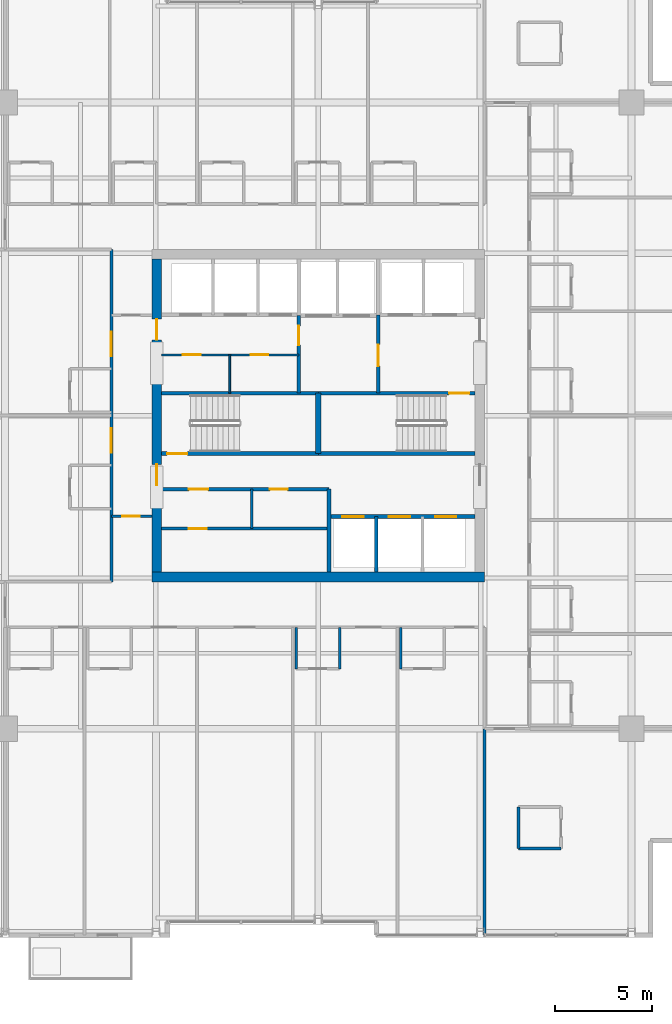
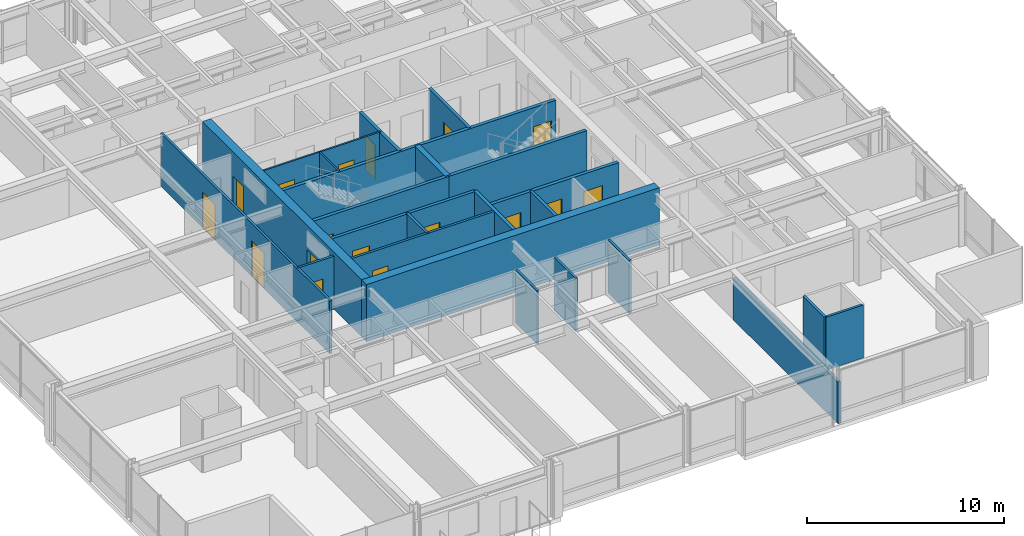
# One storey, part 27 of 32: 25 walls, 17 doors, 17 openings.
"""IFC4 building model written with IfcOpenShell, lengths in metres."""

import ifcopenshell
import ifcopenshell.guid

model = None  # the IFC model being written
_history = None  # IfcOwnerHistory: only IFC2X3 demands one
_inside = {}  # id of a spatial element -> (the spatial element, [elements in it])
_under = {}  # id of a project, library or spatial element -> (it, [spatial elements below it])
_declared = {}  # id of a project -> (the project, [libraries it declares])
_typed = {}  # id of a type object -> (the type object, [elements of that type])
_made_of = {}  # id of a material, layer set ... -> (it, [elements and type objects made of it])


def new_model(schema):
    """Start an empty IFC model of exactly this schema.

    Asked for "IFC4X3", IfcOpenShell would pick the latest addendum, in which some entities
    have other attributes; the version numbers below select the first issue.
    IFC2X3 requires an IfcOwnerHistory on every rooted entity: one is made here for all.
    """
    global model, _history
    if schema == "IFC4X3":
        model = ifcopenshell.file(schema_version=(4, 3, 0, 0))
    else:
        model = ifcopenshell.file(schema=schema)
    _inside.clear()
    _under.clear()
    _declared.clear()
    _typed.clear()
    _made_of.clear()
    _history = None
    if model.schema == "IFC2X3":
        org = make("IfcOrganization", Name="unknown")
        user = make(
            "IfcPersonAndOrganization",
            ThePerson=make("IfcPerson", FamilyName="unknown"),
            TheOrganization=org,
        )
        app = make(
            "IfcApplication",
            ApplicationDeveloper=org,
            Version="unknown",
            ApplicationFullName="unknown",
            ApplicationIdentifier="unknown",
        )
        _history = make(
            "IfcOwnerHistory",
            OwningUser=user,
            OwningApplication=app,
            ChangeAction="ADDED",
            CreationDate=0,
        )
    return model


def make(cls, **values):
    """One entity of the class cls with the attributes given. An attribute that is None is left unset."""
    return model.create_entity(
        cls, **{name: value for name, value in values.items() if value is not None}
    )


def rooted(cls, **values):
    """An entity with a GlobalId (a new one), such as an element, a storey or a relation."""
    return make(cls, GlobalId=ifcopenshell.guid.new(), OwnerHistory=_history, **values)


def si_unit(unit_type, name, prefix=None):
    """IfcSIUnit, for example si_unit("LENGTHUNIT", "METRE", prefix="MILLI")."""
    return make("IfcSIUnit", UnitType=unit_type, Prefix=prefix, Name=name)


def assignment(units):
    """IfcUnitAssignment: the units of a project."""
    return None if units is None else make("IfcUnitAssignment", Units=units)


def point(xyz):
    """IfcCartesianPoint."""
    return None if xyz is None else make("IfcCartesianPoint", Coordinates=xyz)


def direction(xyz):
    """IfcDirection."""
    return None if xyz is None else make("IfcDirection", DirectionRatios=xyz)


def frame(location, z_axis=None, x_axis=None):
    """IfcAxis2Placement3D, a coordinate frame: its origin and axes. An axis left out is left unset."""
    return make(
        "IfcAxis2Placement3D",
        Location=point(location),
        Axis=direction(z_axis),
        RefDirection=direction(x_axis),
    )


def frame_2d(location, x_axis=None):
    """IfcAxis2Placement2D, a coordinate frame in the plane: its origin and x axis."""
    return make(
        "IfcAxis2Placement2D", Location=point(location), RefDirection=direction(x_axis)
    )


def origin():
    """The frame at (0, 0, 0) with its axes left unset."""
    return frame((0.0, 0.0, 0.0))


def place(relative_to, where):
    """IfcLocalPlacement: puts the frame where relative to a parent placement (None: the world)."""
    return make(
        "IfcLocalPlacement", PlacementRelTo=relative_to, RelativePlacement=where
    )


def context(
    kind, dimensions, precision=None, world=None, true_north=None, identifier=None
):
    """IfcGeometricRepresentationContext, for example the 3D "Model" context."""
    return make(
        "IfcGeometricRepresentationContext",
        ContextIdentifier=identifier,
        ContextType=kind,
        CoordinateSpaceDimension=dimensions,
        Precision=precision,
        WorldCoordinateSystem=world,
        TrueNorth=true_north,
    )


def subcontext(parent, identifier, kind, view, scale=None):
    """IfcGeometricRepresentationSubContext, for example "Body" below "Model"."""
    return make(
        "IfcGeometricRepresentationSubContext",
        ContextIdentifier=identifier,
        ContextType=kind,
        ParentContext=parent,
        TargetScale=scale,
        TargetView=view,
    )


def project(units=None, contexts=None):
    """IfcProject with its units and contexts."""
    return rooted(
        "IfcProject",
        Name="project",
        RepresentationContexts=contexts,
        UnitsInContext=assignment(units),
    )


def spatial(cls, under=None, at=None, **own):
    """A site, building, storey or space (cls), placed at a placement, below another one or the project."""
    s = rooted(cls, ObjectPlacement=at, **own)
    if under is not None:
        _under.setdefault(under.id(), (under, []))[1].append(s)
    return s


def profile(cls, at=None, kind="AREA", **sizes):
    """A parametric profile (cls). Its sizes go by their IFC names, for example OverallWidth=200.0."""
    return make(cls, ProfileType=kind, Position=at, **sizes)


def rectangle(**sizes):
    """IfcRectangleProfileDef."""
    return profile("IfcRectangleProfileDef", **sizes)


def extrude(swept, where, along, depth):
    """IfcExtrudedAreaSolid: the profile swept, set in the frame where, extruded along a direction by depth."""
    return make(
        "IfcExtrudedAreaSolid",
        SweptArea=swept,
        Position=where,
        ExtrudedDirection=direction(along),
        Depth=depth,
    )


def shape(context_of_items, identifier, shape_type, items):
    """IfcShapeRepresentation: the items that make up one representation, for example the "Body"."""
    return make(
        "IfcShapeRepresentation",
        ContextOfItems=context_of_items,
        RepresentationIdentifier=identifier,
        RepresentationType=shape_type,
        Items=items,
    )


def material(Name=None, Category=None):
    """IfcMaterial."""
    return make("IfcMaterial", Name=Name, Category=Category)


def layer(
    of_material, thickness, ventilated=None, Name=None, Category=None, Priority=None
):
    """IfcMaterialLayer: one layer of a wall or slab, of a material (None: an air gap)."""
    return make(
        "IfcMaterialLayer",
        Material=of_material,
        LayerThickness=thickness,
        IsVentilated=ventilated,
        Name=Name,
        Category=Category,
        Priority=Priority,
    )


def layer_set(layers, Name=None):
    """IfcMaterialLayerSet."""
    return make("IfcMaterialLayerSet", MaterialLayers=layers, LayerSetName=Name)


def made_of(thing, what):
    """Note that an element or type object is made of a material, layer set ...; save() writes the relation."""
    if what is not None:
        _made_of.setdefault(what.id(), (what, []))[1].append(thing)
    return thing


def type_object(cls, material=None, **own):
    """A type object (cls), such as IfcWallType, which elements share."""
    return made_of(rooted(cls, **own), material)


def element(
    cls,
    number,
    at=None,
    inside=None,
    cuts=None,
    type_object=None,
    material=None,
    context=None,
    identifier="Body",
    shape_type=None,
    held_by="IfcProductDefinitionShape",
    body=None,
    shapes=None,
    **own,
):
    """One element of the class cls, such as IfcWall. Its Tag is "e" and its number.

    at: its placement. inside: the storey or other place that contains it. cuts: it is an
    opening in that element (IfcRelVoidsElement). A single representation is given by context,
    identifier, shape_type and body (its items); several are given by shapes. held_by: the class
    of the entity that holds the representations. save() writes the other relations.
    """
    e = rooted(cls, Tag="e%d" % number, ObjectPlacement=at, **own)
    if body is not None:
        shapes = [shape(context, identifier, shape_type, body)]
    if shapes is not None:
        e.Representation = make(held_by, Representations=shapes)
    if inside is not None:
        _inside.setdefault(inside.id(), (inside, []))[1].append(e)
    if cuts is not None:
        rooted(
            "IfcRelVoidsElement", RelatingBuildingElement=cuts, RelatedOpeningElement=e
        )
    if type_object is not None:
        _typed.setdefault(type_object.id(), (type_object, []))[1].append(e)
    return made_of(e, material)


def fill(opening, filler):
    """IfcRelFillsElement: the door or window that sits in an opening."""
    return rooted(
        "IfcRelFillsElement",
        RelatingOpeningElement=opening,
        RelatedBuildingElement=filler,
    )


def aggregate(whole, parts):
    """IfcRelAggregates: a whole, such as a stair, and the parts it consists of."""
    return rooted("IfcRelAggregates", RelatingObject=whole, RelatedObjects=parts)


def save(model, path):
    """Write the relations noted so far, then the file.

    IfcRelAggregates (storeys below a building ...), IfcRelContainedInSpatialStructure (elements
    in a storey), IfcRelDefinesByType, IfcRelAssociatesMaterial and IfcRelDeclares: one each for
    every whole, place, type object, material and project.
    """
    for whole, parts in _under.values():
        aggregate(whole, parts)
    for where, things in _inside.values():
        rooted(
            "IfcRelContainedInSpatialStructure",
            RelatedElements=things,
            RelatingStructure=where,
        )
    for kind, things in _typed.values():
        rooted("IfcRelDefinesByType", RelatedObjects=things, RelatingType=kind)
    for what, things in _made_of.values():
        rooted("IfcRelAssociatesMaterial", RelatedObjects=things, RelatingMaterial=what)
    for by, libraries in _declared.values():
        rooted("IfcRelDeclares", RelatingContext=by, RelatedDefinitions=libraries)
    model.write(path)


model = new_model("IFC4")

# Units and contexts
model_context = context("Model", 3, precision=1e-05, world=origin(), true_north=direction((0.0, 1.0)))
body_context = subcontext(model_context, "Body", "Model", "MODEL_VIEW")
ifc_project = project(units=[si_unit("LENGTHUNIT", "METRE"), si_unit("AREAUNIT", "SQUARE_METRE"), si_unit("VOLUMEUNIT", "CUBIC_METRE"), si_unit("PLANEANGLEUNIT", "RADIAN"), si_unit("MASSUNIT", "GRAM", prefix="KILO")], contexts=[model_context])

# Site, building, storey
site_placement = place(None, origin())
site = spatial("IfcSite", under=ifc_project, at=site_placement, CompositionType="ELEMENT")
building_placement = place(site_placement, origin())
building = spatial("IfcBuilding", under=site, at=building_placement, Name="Drelvath Grand Hotel", CompositionType="ELEMENT")
storey_placement = place(building_placement, frame((0.0, 0.0, 150.39990234375)))
storey = spatial("IfcBuildingStorey", under=building, at=storey_placement, Name="L38", CompositionType="ELEMENT", Elevation=150.39990234375)

# Wall, openings, doors
ifc_material_1 = material(Name="Gypsum Partition Board")
ifc_layer_1 = layer(ifc_material_1, 0.10009765625)
ifc_layer_set_1 = layer_set([ifc_layer_1], Name="Gypsum Partition Board")
wall_type_1 = type_object("IfcWallType", Name="Core Closet Partition 100", PredefinedType="PARTITIONING", material=ifc_layer_set_1)
wall_1_placement = place(storey_placement, frame((-8.10009765625, 30.139892578125, 0.0), z_axis=(0.0, 0.0, 1.0), x_axis=(1.0, 0.0, 0.0)))
wall_1 = element("IfcWall", 1, at=wall_1_placement, inside=storey, type_object=wall_type_1, Name="L38 High-Rise Lobby Closet Wall", PredefinedType="PARTITIONING", context=body_context, shape_type="SweptSolid", body=[
    extrude(rectangle(XDim=7.10009765625, YDim=0.10009765625, at=frame_2d((3.550048828125, 0.0))), origin(), (0.0, 0.0, 1.0), 3.2900390625),
])
opening_1_placement = place(wall_1_placement, frame((1.10009765625, 0.0, 0.0)))
opening_1 = element("IfcOpeningElement", 2, at=opening_1_placement, cuts=wall_1, Name="Opening D-T3G1-014", PredefinedType="OPENING", context=body_context, shape_type="SweptSolid", body=[
    extrude(rectangle(XDim=0.919921875, YDim=2.10009765625, at=frame_2d((0.4599609375, 1.050048828125))), frame((0.0, 0.06005859375, 0.0), z_axis=(0.0, -1.0, 0.0), x_axis=(1.0, 0.0, 0.0)), (0.0, 0.0, 1.0), 0.1201171875),
])
opening_2_placement = place(wall_1_placement, frame((4.60009765625, 0.0, 0.0)))
opening_2 = element("IfcOpeningElement", 3, at=opening_2_placement, cuts=wall_1, Name="Opening D-T3G1-015", PredefinedType="OPENING", context=body_context, shape_type="SweptSolid", body=[
    extrude(rectangle(XDim=0.919921875, YDim=2.10009765625, at=frame_2d((0.4599609375, 1.050048828125))), frame((0.0, 0.06005859375, 0.0), z_axis=(0.0, -1.0, 0.0), x_axis=(1.0, 0.0, 0.0)), (0.0, 0.0, 1.0), 0.1201171875),
])
ifc_material_2 = material(Name="Painted Steel S275", Category="steel")
door_type_1 = type_object("IfcDoorType", Name="Staff Utility Door 920x2100", OperationType="NOTDEFINED", PredefinedType="DOOR", material=ifc_material_2)
door_1_placement = place(opening_1_placement, origin())
door_1 = element("IfcDoor", 4, at=door_1_placement, inside=storey, type_object=door_type_1, Name="L38 Electrical Closet Door", OperationType="SINGLE_SWING_LEFT", OverallHeight=2.10009765625, OverallWidth=0.919921875, PredefinedType="DOOR", context=body_context, shape_type="SweptSolid", body=[
    extrude(rectangle(XDim=0.919921875, YDim=2.10009765625, at=frame_2d((0.4599609375, 1.050048828125))), frame((0.0, 0.02490234375, 0.0), z_axis=(0.0, -1.0, 0.0), x_axis=(1.0, 0.0, 0.0)), (0.0, 0.0, 1.0), 0.050048828125),
])
fill(opening_1, door_1)
door_2_placement = place(opening_2_placement, origin())
door_2 = element("IfcDoor", 5, at=door_2_placement, inside=storey, type_object=door_type_1, Name="L38 Telecom Room Door", OperationType="SINGLE_SWING_RIGHT", OverallHeight=2.10009765625, OverallWidth=0.919921875, PredefinedType="DOOR", context=body_context, shape_type="SweptSolid", body=[
    extrude(rectangle(XDim=0.919921875, YDim=2.10009765625, at=frame_2d((0.4599609375, 1.050048828125))), frame((0.0, 0.02490234375, 0.0), z_axis=(0.0, -1.0, 0.0), x_axis=(1.0, 0.0, 0.0)), (0.0, 0.0, 1.0), 0.050048828125),
])
fill(opening_2, door_2)

# Wall
wall_2_placement = place(storey_placement, frame((-4.580078125, 28.159912109375, 0.0), z_axis=(0.0, 0.0, 1.0), x_axis=(0.0, 1.0, 0.0)))
element("IfcWall", 6, at=wall_2_placement, inside=storey, type_object=wall_type_1, Name="L38 Core Closet Split 1", PredefinedType="PARTITIONING", context=body_context, shape_type="SweptSolid", body=[
    extrude(rectangle(XDim=1.97998046875, YDim=0.10009765625, at=frame_2d((0.989990234375, 0.0))), origin(), (0.0, 0.0, 1.0), 3.2900390625),
])

# Wall, openings, doors
ifc_material_3 = material(Name="Concrete C40/50", Category="concrete")
ifc_layer_2 = layer(ifc_material_3, 0.199951171875)
ifc_layer_set_2 = layer_set([ifc_layer_2], Name="Concrete C40/50")
wall_type_2 = type_object("IfcWallType", Name="Core Hoistway Fire Wall 200", PredefinedType="SOLIDWALL", material=ifc_layer_set_2)
wall_3_placement = place(storey_placement, frame((8.10009765625, 21.780029296875, 0.0), z_axis=(0.0, 0.0, 1.0), x_axis=(-1.0, 0.0, 0.0)))
wall_3 = element("IfcWall", 7, at=wall_3_placement, inside=storey, type_object=wall_type_2, Name="L38 Bank 2 Hoistway Wall", PredefinedType="SOLIDWALL", context=body_context, shape_type="SweptSolid", body=[
    extrude(rectangle(XDim=7.550048828125, YDim=0.199951171875, at=frame_2d((3.77490234375, 0.0))), origin(), (0.0, 0.0, 1.0), 3.2900390625),
])
opening_3_placement = place(wall_3_placement, frame((5.75, 0.0, 0.0)))
opening_3 = element("IfcOpeningElement", 8, at=opening_3_placement, cuts=wall_3, Name="Opening LD-PE-4", PredefinedType="OPENING", context=body_context, shape_type="SweptSolid", body=[
    extrude(rectangle(XDim=1.10009765625, YDim=2.199951171875, at=frame_2d((0.550048828125, 1.10009765625))), frame((0.0, 0.10986328125, 0.0), z_axis=(0.0, -1.0, 0.0), x_axis=(1.0, 0.0, 0.0)), (0.0, 0.0, 1.0), 0.219970703125),
])
opening_4_placement = place(wall_3_placement, frame((3.35009765625, 0.0, 0.0)))
opening_4 = element("IfcOpeningElement", 9, at=opening_4_placement, cuts=wall_3, Name="Opening LD-PE-5", PredefinedType="OPENING", context=body_context, shape_type="SweptSolid", body=[
    extrude(rectangle(XDim=1.10009765625, YDim=2.199951171875, at=frame_2d((0.550048828125, 1.10009765625))), frame((0.0, 0.10986328125, 0.0), z_axis=(0.0, -1.0, 0.0), x_axis=(1.0, 0.0, 0.0)), (0.0, 0.0, 1.0), 0.219970703125),
])
opening_5_placement = place(wall_3_placement, frame((0.949951171875, 0.0, 0.0)))
opening_5 = element("IfcOpeningElement", 10, at=opening_5_placement, cuts=wall_3, Name="Opening LD-PE-6", PredefinedType="OPENING", context=body_context, shape_type="SweptSolid", body=[
    extrude(rectangle(XDim=1.10009765625, YDim=2.199951171875, at=frame_2d((0.550048828125, 1.10009765625))), frame((0.0, 0.10986328125, 0.0), z_axis=(0.0, -1.0, 0.0), x_axis=(1.0, 0.0, 0.0)), (0.0, 0.0, 1.0), 0.219970703125),
])
ifc_material_4 = material(Name="Stainless Steel S355", Category="steel")
door_type_2 = type_object("IfcDoorType", Name="Passenger Lift Sliding Landing Door 1100x2200", OperationType="NOTDEFINED", PredefinedType="DOOR", material=ifc_material_4)
door_3_placement = place(opening_3_placement, origin())
door_3 = element("IfcDoor", 11, at=door_3_placement, inside=storey, type_object=door_type_2, Name="L38 Lift PE-4 Landing Door", OperationType="SLIDING_TO_LEFT", OverallHeight=2.199951171875, OverallWidth=1.10009765625, PredefinedType="DOOR", context=body_context, shape_type="SweptSolid", body=[
    extrude(rectangle(XDim=1.10009765625, YDim=2.199951171875, at=frame_2d((0.550048828125, 1.10009765625))), frame((0.0, 0.02490234375, 0.0), z_axis=(0.0, -1.0, 0.0), x_axis=(1.0, 0.0, 0.0)), (0.0, 0.0, 1.0), 0.050048828125),
])
fill(opening_3, door_3)
door_4_placement = place(opening_4_placement, origin())
door_4 = element("IfcDoor", 12, at=door_4_placement, inside=storey, type_object=door_type_2, Name="L38 Lift PE-5 Landing Door", OperationType="SLIDING_TO_LEFT", OverallHeight=2.199951171875, OverallWidth=1.10009765625, PredefinedType="DOOR", context=body_context, shape_type="SweptSolid", body=[
    extrude(rectangle(XDim=1.10009765625, YDim=2.199951171875, at=frame_2d((0.550048828125, 1.10009765625))), frame((0.0, 0.02490234375, 0.0), z_axis=(0.0, -1.0, 0.0), x_axis=(1.0, 0.0, 0.0)), (0.0, 0.0, 1.0), 0.050048828125),
])
fill(opening_4, door_4)
door_5_placement = place(opening_5_placement, origin())
door_5 = element("IfcDoor", 13, at=door_5_placement, inside=storey, type_object=door_type_2, Name="L38 Lift PE-6 Landing Door", OperationType="SLIDING_TO_LEFT", OverallHeight=2.199951171875, OverallWidth=1.10009765625, PredefinedType="DOOR", context=body_context, shape_type="SweptSolid", body=[
    extrude(rectangle(XDim=1.10009765625, YDim=2.199951171875, at=frame_2d((0.550048828125, 1.10009765625))), frame((0.0, 0.02490234375, 0.0), z_axis=(0.0, -1.0, 0.0), x_axis=(1.0, 0.0, 0.0)), (0.0, 0.0, 1.0), 0.050048828125),
])
fill(opening_5, door_5)

# Wall
wall_4_placement = place(storey_placement, frame((0.550048828125, 18.89990234375, 0.0), z_axis=(0.0, 0.0, 1.0), x_axis=(0.0, 1.0, 0.0)))
element("IfcWall", 14, at=wall_4_placement, inside=storey, type_object=wall_type_2, Name="L38 Bank 2 West Wall", PredefinedType="SOLIDWALL", context=body_context, shape_type="SweptSolid", body=[
    extrude(rectangle(XDim=4.300048828125, YDim=0.199951171875, at=frame_2d((2.14990234375, 0.0))), origin(), (0.0, 0.0, 1.0), 3.2900390625),
])

# Wall, opening, door
ifc_layer_3 = layer(ifc_material_3, 0.199951171875)
ifc_layer_set_3 = layer_set([ifc_layer_3], Name="Concrete C40/50")
wall_type_3 = type_object("IfcWallType", Name="Core Shaft Fire Wall 200", PredefinedType="SOLIDWALL", material=ifc_layer_set_3)
wall_5_placement = place(storey_placement, frame((-8.10009765625, 25.0400390625, 0.0), z_axis=(0.0, 0.0, 1.0), x_axis=(1.0, 0.0, 0.0)))
wall_5 = element("IfcWall", 15, at=wall_5_placement, inside=storey, type_object=wall_type_3, Name="L38 Stair ST-1 South Wall", PredefinedType="SOLIDWALL", context=body_context, shape_type="SweptSolid", body=[
    extrude(rectangle(XDim=8.10009765625, YDim=0.199951171875, at=frame_2d((4.050048828125, 0.0))), origin(), (0.0, 0.0, 1.0), 3.2900390625),
])
opening_6_placement = place(wall_5_placement, frame((0.280029296875, 0.0, 0.0)))
opening_6 = element("IfcOpeningElement", 16, at=opening_6_placement, cuts=wall_5, Name="Opening D-T3G1-001", PredefinedType="OPENING", context=body_context, shape_type="SweptSolid", body=[
    extrude(rectangle(XDim=1.050048828125, YDim=2.10009765625, at=frame_2d((0.52490234375, 1.050048828125))), frame((0.0, 0.10986328125, 0.0), z_axis=(0.0, -1.0, 0.0), x_axis=(1.0, 0.0, 0.0)), (0.0, 0.0, 1.0), 0.219970703125),
])
door_type_3 = type_object("IfcDoorType", Name="Tower Stairwell Fire Door 1050x2100", OperationType="NOTDEFINED", PredefinedType="DOOR", material=ifc_material_2)
door_6_placement = place(opening_6_placement, origin())
door_6 = element("IfcDoor", 17, at=door_6_placement, inside=storey, type_object=door_type_3, Name="L38 Exit Stair ST-1 Door", OperationType="SINGLE_SWING_LEFT", OverallHeight=2.10009765625, OverallWidth=1.050048828125, PredefinedType="DOOR", context=body_context, shape_type="SweptSolid", body=[
    extrude(rectangle(XDim=1.050048828125, YDim=2.10009765625, at=frame_2d((0.52490234375, 1.050048828125))), frame((0.0, 0.02490234375, 0.0), z_axis=(0.0, -1.0, 0.0), x_axis=(1.0, 0.0, 0.0)), (0.0, 0.0, 1.0), 0.050048828125),
])
fill(opening_6, door_6)

# Walls
for number, where, z_axis, x_axis, name in (
    (18, (-8.10009765625, 28.159912109375, 0.0), (0.0, 0.0, 1.0), (1.0, 0.0, 0.0), "L38 Stair ST-1 North Wall"),
    (19, (0.0, 25.0400390625, 0.0), (0.0, 0.0, 1.0), (1.0, 0.0, 0.0), "L38 Stair ST-2 South Wall"),
):
    element("IfcWall", number, at=place(storey_placement, frame(where, z_axis=z_axis, x_axis=x_axis)), inside=storey, type_object=wall_type_3, Name=name, PredefinedType="SOLIDWALL", context=body_context, shape_type="SweptSolid", body=[
        extrude(rectangle(XDim=8.10009765625, YDim=0.199951171875, at=frame_2d((4.050048828125, 0.0))), origin(), (0.0, 0.0, 1.0), 3.2900390625),
    ])

# Wall, opening, door
wall_6_placement = place(storey_placement, frame((8.10009765625, 28.159912109375, 0.0), z_axis=(0.0, 0.0, 1.0), x_axis=(-1.0, 0.0, 0.0)))
wall_6 = element("IfcWall", 20, at=wall_6_placement, inside=storey, type_object=wall_type_3, Name="L38 Stair ST-2 North Wall", PredefinedType="SOLIDWALL", context=body_context, shape_type="SweptSolid", body=[
    extrude(rectangle(XDim=8.10009765625, YDim=0.199951171875, at=frame_2d((4.050048828125, 0.0))), origin(), (0.0, 0.0, 1.0), 3.2900390625),
])
opening_7_placement = place(wall_6_placement, frame((0.280029296875, 0.0, 0.0)))
opening_7 = element("IfcOpeningElement", 21, at=opening_7_placement, cuts=wall_6, Name="Opening D-T3G1-002", PredefinedType="OPENING", context=body_context, shape_type="SweptSolid", body=[
    extrude(rectangle(XDim=1.050048828125, YDim=2.10009765625, at=frame_2d((0.52490234375, 1.050048828125))), frame((0.0, 0.10986328125, 0.0), z_axis=(0.0, -1.0, 0.0), x_axis=(1.0, 0.0, 0.0)), (0.0, 0.0, 1.0), 0.219970703125),
])
door_7_placement = place(opening_7_placement, origin())
door_7 = element("IfcDoor", 22, at=door_7_placement, inside=storey, type_object=door_type_3, Name="L38 Exit Stair ST-2 Door", OperationType="SINGLE_SWING_LEFT", OverallHeight=2.10009765625, OverallWidth=1.050048828125, PredefinedType="DOOR", context=body_context, shape_type="SweptSolid", body=[
    extrude(rectangle(XDim=1.050048828125, YDim=2.10009765625, at=frame_2d((0.52490234375, 1.050048828125))), frame((0.0, 0.02490234375, 0.0), z_axis=(0.0, -1.0, 0.0), x_axis=(1.0, 0.0, 0.0)), (0.0, 0.0, 1.0), 0.050048828125),
])
fill(opening_7, door_7)

# Walls
ifc_layer_4 = layer(ifc_material_3, 0.300048828125)
ifc_layer_set_4 = layer_set([ifc_layer_4], Name="Concrete C40/50")
wall_type_4 = type_object("IfcWallType", Name="Core Shaft Fire Wall 300", PredefinedType="SOLIDWALL", material=ifc_layer_set_4)
wall_7_placement = place(storey_placement, frame((0.0, 25.0400390625, 0.0), z_axis=(0.0, 0.0, 1.0), x_axis=(0.0, 1.0, 0.0)))
element("IfcWall", 23, at=wall_7_placement, inside=storey, type_object=wall_type_4, Name="L38 Core Stair Divider Wall", PredefinedType="SOLIDWALL", context=body_context, shape_type="SweptSolid", body=[
    extrude(rectangle(XDim=3.119873046875, YDim=0.300048828125, at=frame_2d((1.56005859375, 0.0))), origin(), (0.0, 0.0, 1.0), 3.2900390625),
])
ifc_material_5 = material(Name="Gypsum Fireboard Partition")
ifc_layer_5 = layer(ifc_material_5, 0.1650390625)
ifc_layer_set_5 = layer_set([ifc_layer_5], Name="Gypsum Fireboard Partition")
wall_type_5 = type_object("IfcWallType", Name="Core Shaft Partition 165", PredefinedType="PARTITIONING", material=ifc_layer_set_5)
wall_8_placement = place(storey_placement, frame((3.0, 18.89990234375, 0.0), z_axis=(0.0, 0.0, 1.0), x_axis=(0.0, 1.0, 0.0)))
element("IfcWall", 24, at=wall_8_placement, inside=storey, type_object=wall_type_5, Name="L38 Lift PE-4/5 Divider", PredefinedType="PARTITIONING", context=body_context, shape_type="SweptSolid", body=[
    extrude(rectangle(XDim=2.880126953125, YDim=0.1650390625, at=frame_2d((1.43994140625, 0.0))), origin(), (0.0, 0.0, 1.0), 3.2900390625),
])

# Wall, opening, door
ifc_layer_6 = layer(ifc_material_5, 0.135009765625)
ifc_layer_set_6 = layer_set([ifc_layer_6], Name="Gypsum Fireboard Partition")
wall_type_6 = type_object("IfcWallType", Name="Corridor Fire Barrier Wall 135", PredefinedType="PARTITIONING", material=ifc_layer_set_6)
wall_9_placement = place(storey_placement, frame((-10.699951171875, 21.800048828125, 0.0), z_axis=(0.0, 0.0, 1.0), x_axis=(1.0, 0.0, 0.0)))
wall_9 = element("IfcWall", 25, at=wall_9_placement, inside=storey, type_object=wall_type_6, Name="L38 West Foyer South Wall", PredefinedType="PARTITIONING", context=body_context, shape_type="SweptSolid", body=[
    extrude(rectangle(XDim=2.099853515625, YDim=0.135009765625, at=frame_2d((1.0498046875, 0.0))), origin(), (0.0, 0.0, 1.0), 3.2900390625),
])
opening_8_placement = place(wall_9_placement, frame((0.550048828125, 0.0, 0.0)))
opening_8 = element("IfcOpeningElement", 26, at=opening_8_placement, cuts=wall_9, Name="Opening D-T3G1-024", PredefinedType="OPENING", context=body_context, shape_type="SweptSolid", body=[
    extrude(rectangle(XDim=0.919921875, YDim=2.10009765625, at=frame_2d((0.4599609375, 1.050048828125))), frame((0.0, 0.077392578125, 0.0), z_axis=(0.0, -1.0, 0.0), x_axis=(1.0, 0.0, 0.0)), (0.0, 0.0, 1.0), 0.155029296875),
])
door_8_placement = place(opening_8_placement, origin())
door_8 = element("IfcDoor", 27, at=door_8_placement, inside=storey, type_object=door_type_1, Name="L38 West Linen Closet Door", OperationType="SINGLE_SWING_RIGHT", OverallHeight=2.10009765625, OverallWidth=0.919921875, PredefinedType="DOOR", context=body_context, shape_type="SweptSolid", body=[
    extrude(rectangle(XDim=0.919921875, YDim=2.10009765625, at=frame_2d((0.4599609375, 1.050048828125))), frame((0.0, 0.02490234375, 0.0), z_axis=(0.0, -1.0, 0.0), x_axis=(1.0, 0.0, 0.0)), (0.0, 0.0, 1.0), 0.050048828125),
])
fill(opening_8, door_8)

# Wall, openings, doors
wall_10_placement = place(storey_placement, frame((-10.699951171875, 18.39990234375, 0.0), z_axis=(0.0, 0.0, 1.0), x_axis=(0.0, 1.0, 0.0)))
wall_10 = element("IfcWall", 28, at=wall_10_placement, inside=storey, type_object=wall_type_6, Name="L38 West Spine Wall", PredefinedType="PARTITIONING", context=body_context, shape_type="SweptSolid", body=[
    extrude(rectangle(XDim=17.2001953125, YDim=0.135009765625, at=frame_2d((8.60009765625, 0.0))), origin(), (0.0, 0.0, 1.0), 3.2900390625),
])
opening_9_placement = place(wall_10_placement, frame((6.68505859375, 0.0, 0.0)))
opening_9 = element("IfcOpeningElement", 29, at=opening_9_placement, cuts=wall_10, Name="Opening D-T3G1-065", PredefinedType="OPENING", context=body_context, shape_type="SweptSolid", body=[
    extrude(rectangle(XDim=1.260009765625, YDim=2.199951171875, at=frame_2d((0.6298828125, 1.10009765625))), frame((0.0, 0.077392578125, 0.0), z_axis=(0.0, -1.0, 0.0), x_axis=(1.0, 0.0, 0.0)), (0.0, 0.0, 1.0), 0.155029296875),
])
opening_10_placement = place(wall_10_placement, frame((11.68505859375, 0.0, 0.0)))
opening_10 = element("IfcOpeningElement", 30, at=opening_10_placement, cuts=wall_10, Name="Opening D-T3G1-067", PredefinedType="OPENING", context=body_context, shape_type="SweptSolid", body=[
    extrude(rectangle(XDim=1.260009765625, YDim=2.199951171875, at=frame_2d((0.6298828125, 1.10009765625))), frame((0.0, 0.077392578125, 0.0), z_axis=(0.0, -1.0, 0.0), x_axis=(1.0, 0.0, 0.0)), (0.0, 0.0, 1.0), 0.155029296875),
])
ifc_material_6 = material(Name="Hardwood Walnut Timber", Category="wood")
door_type_4 = type_object("IfcDoorType", Name="Suite Entrance Fire Door 1260x2200", OperationType="NOTDEFINED", PredefinedType="DOOR", material=ifc_material_6)
door_9_placement = place(opening_9_placement, origin())
door_9 = element("IfcDoor", 31, at=door_9_placement, inside=storey, type_object=door_type_4, Name="L38 Executive Suite Entry Door", OperationType="SINGLE_SWING_LEFT", OverallHeight=2.199951171875, OverallWidth=1.260009765625, PredefinedType="DOOR", context=body_context, shape_type="SweptSolid", body=[
    extrude(rectangle(XDim=1.260009765625, YDim=2.199951171875, at=frame_2d((0.6298828125, 1.10009765625))), frame((0.0, 0.02490234375, 0.0), z_axis=(0.0, -1.0, 0.0), x_axis=(1.0, 0.0, 0.0)), (0.0, 0.0, 1.0), 0.050048828125),
])
fill(opening_9, door_9)
door_10_placement = place(opening_10_placement, origin())
door_10 = element("IfcDoor", 32, at=door_10_placement, inside=storey, type_object=door_type_4, Name="L38 Executive Suite Entry Door", OperationType="SINGLE_SWING_LEFT", OverallHeight=2.199951171875, OverallWidth=1.260009765625, PredefinedType="DOOR", context=body_context, shape_type="SweptSolid", body=[
    extrude(rectangle(XDim=1.260009765625, YDim=2.199951171875, at=frame_2d((0.6298828125, 1.10009765625))), frame((0.0, 0.02490234375, 0.0), z_axis=(0.0, -1.0, 0.0), x_axis=(1.0, 0.0, 0.0)), (0.0, 0.0, 1.0), 0.050048828125),
])
fill(opening_10, door_10)

# Wall, opening, door
ifc_material_7 = material(Name="Moisture-Resistant Gypsum Board")
ifc_layer_7 = layer(ifc_material_7, 0.139892578125)
ifc_layer_set_7 = layer_set([ifc_layer_7], Name="Moisture-Resistant Gypsum Board")
wall_type_7 = type_object("IfcWallType", Name="En-Suite Plumbing Wall 140", PredefinedType="PLUMBINGWALL", material=ifc_layer_set_7)
wall_11_placement = place(storey_placement, frame((-8.10009765625, 21.159912109375, 0.0), z_axis=(0.0, 0.0, 1.0), x_axis=(1.0, 0.0, 0.0)))
wall_11 = element("IfcWall", 33, at=wall_11_placement, inside=storey, type_object=wall_type_7, Name="L38 Reclaimed Horizontal Wall", PredefinedType="PLUMBINGWALL", context=body_context, shape_type="SweptSolid", body=[
    extrude(rectangle(XDim=8.650146484375, YDim=0.139892578125, at=frame_2d((4.3251953125, 0.0))), origin(), (0.0, 0.0, 1.0), 3.2900390625),
])
opening_11_placement = place(wall_11_placement, frame((1.39990234375, 0.0, 0.0)))
opening_11 = element("IfcOpeningElement", 34, at=opening_11_placement, cuts=wall_11, Name="Opening D-T3G1-023", PredefinedType="OPENING", context=body_context, shape_type="SweptSolid", body=[
    extrude(rectangle(XDim=0.919921875, YDim=2.10009765625, at=frame_2d((0.4599609375, 1.050048828125))), frame((0.0, 0.079833984375, 0.0), z_axis=(0.0, -1.0, 0.0), x_axis=(1.0, 0.0, 0.0)), (0.0, 0.0, 1.0), 0.159912109375),
])
door_11_placement = place(opening_11_placement, origin())
door_11 = element("IfcDoor", 35, at=door_11_placement, inside=storey, type_object=door_type_1, Name="L38 Housekeeping Inner Door", OperationType="SINGLE_SWING_LEFT", OverallHeight=2.10009765625, OverallWidth=0.919921875, PredefinedType="DOOR", context=body_context, shape_type="SweptSolid", body=[
    extrude(rectangle(XDim=0.919921875, YDim=2.10009765625, at=frame_2d((0.4599609375, 1.050048828125))), frame((0.0, 0.02490234375, 0.0), z_axis=(0.0, -1.0, 0.0), x_axis=(1.0, 0.0, 0.0)), (0.0, 0.0, 1.0), 0.050048828125),
])
fill(opening_11, door_11)

# Walls
wall_12_placement = place(storey_placement, frame((-3.43994140625, 21.159912109375, 0.0), z_axis=(0.0, 0.0, 1.0), x_axis=(0.0, 1.0, 0.0)))
element("IfcWall", 36, at=wall_12_placement, inside=storey, type_object=wall_type_7, Name="L38 Staff WC Wall", PredefinedType="PLUMBINGWALL", context=body_context, shape_type="SweptSolid", body=[
    extrude(rectangle(XDim=2.0400390625, YDim=0.139892578125, at=frame_2d((1.02001953125, 0.0))), origin(), (0.0, 0.0, 1.0), 3.2900390625),
])
wall_13_placement = place(storey_placement, frame((10.360107421875, 4.60009765625, 0.0), z_axis=(0.0, 0.0, 1.0), x_axis=(1.0, 0.0, 0.0)))
element("IfcWall", 37, at=wall_13_placement, inside=storey, type_object=wall_type_7, Name="L38 Corner En-Suite South", PredefinedType="PLUMBINGWALL", context=body_context, shape_type="SweptSolid", body=[
    extrude(rectangle(XDim=2.199951171875, YDim=0.139892578125, at=frame_2d((1.10009765625, 0.0))), origin(), (0.0, 0.0, 1.0), 3.2900390625),
])
wall_14_placement = place(storey_placement, frame((10.360107421875, 4.60009765625, 0.0), z_axis=(0.0, 0.0, 1.0), x_axis=(0.0, 1.0, 0.0)))
element("IfcWall", 38, at=wall_14_placement, inside=storey, type_object=wall_type_7, Name="L38 Corner En-Suite West", PredefinedType="PLUMBINGWALL", context=body_context, shape_type="SweptSolid", body=[
    extrude(rectangle(XDim=2.14990234375, YDim=0.139892578125, at=frame_2d((1.074951171875, 0.0))), origin(), (0.0, 0.0, 1.0), 3.2900390625),
])
for number, where, z_axis, x_axis, name in (
    (39, (-1.139892578125, 16.050048828125, 0.0), (0.0, 0.0, 1.0), (0.0, -1.0, 0.0), "L38 En-Suite Left Wall"),
    (40, (1.110107421875, 16.050048828125, 0.0), (0.0, 0.0, 1.0), (0.0, -1.0, 0.0), "L38 En-Suite Right Wall"),
    (41, (4.27099609375, 16.050048828125, 0.0), (0.0, 0.0, 1.0), (0.0, -1.0, 0.0), "L38 En-Suite Left Wall"),
):
    element("IfcWall", number, at=place(storey_placement, frame(where, z_axis=z_axis, x_axis=x_axis)), inside=storey, type_object=wall_type_7, Name=name, PredefinedType="PLUMBINGWALL", context=body_context, shape_type="SweptSolid", body=[
        extrude(rectangle(XDim=2.150146484375, YDim=0.139892578125, at=frame_2d((1.0751953125, 0.0))), origin(), (0.0, 0.0, 1.0), 3.2900390625),
    ])

# Wall, opening, door
ifc_layer_8 = layer(ifc_material_5, 0.179931640625)
ifc_layer_set_8 = layer_set([ifc_layer_8], Name="Gypsum Fireboard Partition")
wall_type_8 = type_object("IfcWallType", Name="FSAE Smoke Lobby Fire Wall 180", PredefinedType="SOLIDWALL", material=ifc_layer_set_8)
wall_15_placement = place(storey_placement, frame((3.10009765625, 28.159912109375, 0.0), z_axis=(0.0, 0.0, 1.0), x_axis=(0.0, 1.0, 0.0)))
wall_15 = element("IfcWall", 42, at=wall_15_placement, inside=storey, type_object=wall_type_8, Name="L38 FSAE Smoke Lobby West Wall", PredefinedType="SOLIDWALL", context=body_context, shape_type="SweptSolid", body=[
    extrude(rectangle(XDim=4.06005859375, YDim=0.179931640625, at=frame_2d((2.030029296875, 0.0))), origin(), (0.0, 0.0, 1.0), 3.2900390625),
])
opening_12_placement = place(wall_15_placement, frame((1.39990234375, 0.0, 0.0)))
opening_12 = element("IfcOpeningElement", 43, at=opening_12_placement, cuts=wall_15, Name="Opening D-T3G1-005", PredefinedType="OPENING", context=body_context, shape_type="SweptSolid", body=[
    extrude(rectangle(XDim=1.1201171875, YDim=2.10009765625, at=frame_2d((0.56005859375, 1.050048828125))), frame((0.0, 0.099853515625, 0.0), z_axis=(0.0, -1.0, 0.0), x_axis=(1.0, 0.0, 0.0)), (0.0, 0.0, 1.0), 0.199951171875),
])
door_type_5 = type_object("IfcDoorType", Name="FSAE Smoke Lobby Fire Door 1120x2100", OperationType="NOTDEFINED", PredefinedType="DOOR", material=ifc_material_2)
door_12_placement = place(opening_12_placement, origin())
door_12 = element("IfcDoor", 44, at=door_12_placement, inside=storey, type_object=door_type_5, Name="L38 FSAE Lobby Service Vestibule Door", OperationType="SINGLE_SWING_RIGHT", OverallHeight=2.10009765625, OverallWidth=1.1201171875, PredefinedType="DOOR", context=body_context, shape_type="SweptSolid", body=[
    extrude(rectangle(XDim=1.1201171875, YDim=2.10009765625, at=frame_2d((0.56005859375, 1.050048828125))), frame((0.0, 0.02490234375, 0.0), z_axis=(0.0, -1.0, 0.0), x_axis=(1.0, 0.0, 0.0)), (0.0, 0.0, 1.0), 0.050048828125),
])
fill(opening_12, door_12)

wall_16_placement = place(storey_placement, frame((-1.0, 28.159912109375, 0.0), z_axis=(0.0, 0.0, 1.0), x_axis=(0.0, 1.0, 0.0)))
wall_16 = element("IfcWall", 45, at=wall_16_placement, inside=storey, type_object=wall_type_8, Name="L38 Service Vestibule West Wall", PredefinedType="SOLIDWALL", context=body_context, shape_type="SweptSolid", body=[
    extrude(rectangle(XDim=4.02001953125, YDim=0.179931640625, at=frame_2d((2.010009765625, 0.0))), origin(), (0.0, 0.0, 1.0), 3.2900390625),
])
opening_13_placement = place(wall_16_placement, frame((2.489990234375, 0.0, 0.0)))
opening_13 = element("IfcOpeningElement", 46, at=opening_13_placement, cuts=wall_16, Name="Opening D-T3G1-009", PredefinedType="OPENING", context=body_context, shape_type="SweptSolid", body=[
    extrude(rectangle(XDim=1.0, YDim=2.10009765625, at=frame_2d((0.5, 1.050048828125))), frame((0.0, 0.099853515625, 0.0), z_axis=(0.0, -1.0, 0.0), x_axis=(1.0, 0.0, 0.0)), (0.0, 0.0, 1.0), 0.199951171875),
])
door_type_6 = type_object("IfcDoorType", Name="Core Service Fire Door 1000x2100", OperationType="NOTDEFINED", PredefinedType="DOOR", material=ifc_material_2)
door_13_placement = place(opening_13_placement, origin())
door_13 = element("IfcDoor", 47, at=door_13_placement, inside=storey, type_object=door_type_6, Name="L38 Service Vestibule West Door", OperationType="SINGLE_SWING_LEFT", OverallHeight=2.10009765625, OverallWidth=1.0, PredefinedType="DOOR", context=body_context, shape_type="SweptSolid", body=[
    extrude(rectangle(XDim=1.0, YDim=2.10009765625, at=frame_2d((0.5, 1.050048828125))), frame((0.0, 0.02490234375, 0.0), z_axis=(0.0, -1.0, 0.0), x_axis=(1.0, 0.0, 0.0)), (0.0, 0.0, 1.0), 0.050048828125),
])
fill(opening_13, door_13)

# Wall, openings, doors
wall_17_placement = place(storey_placement, frame((-8.10009765625, 23.199951171875, 0.0), z_axis=(0.0, 0.0, 1.0), x_axis=(1.0, 0.0, 0.0)))
wall_17 = element("IfcWall", 48, at=wall_17_placement, inside=storey, type_object=wall_type_8, Name="L38 Reclaimed Core Room Wall", PredefinedType="SOLIDWALL", context=body_context, shape_type="SweptSolid", body=[
    extrude(rectangle(XDim=8.650146484375, YDim=0.179931640625, at=frame_2d((4.3251953125, 0.0))), origin(), (0.0, 0.0, 1.0), 3.2900390625),
])
opening_14_placement = place(wall_17_placement, frame((1.39990234375, 0.0, 0.0)))
opening_14 = element("IfcOpeningElement", 49, at=opening_14_placement, cuts=wall_17, Name="Opening D-T3G1-021", PredefinedType="OPENING", context=body_context, shape_type="SweptSolid", body=[
    extrude(rectangle(XDim=1.0, YDim=2.10009765625, at=frame_2d((0.5, 1.050048828125))), frame((0.0, 0.099853515625, 0.0), z_axis=(0.0, -1.0, 0.0), x_axis=(1.0, 0.0, 0.0)), (0.0, 0.0, 1.0), 0.199951171875),
])
opening_15_placement = place(wall_17_placement, frame((5.60009765625, 0.0, 0.0)))
opening_15 = element("IfcOpeningElement", 50, at=opening_15_placement, cuts=wall_17, Name="Opening D-T3G1-022", PredefinedType="OPENING", context=body_context, shape_type="SweptSolid", body=[
    extrude(rectangle(XDim=0.919921875, YDim=2.10009765625, at=frame_2d((0.4599609375, 1.050048828125))), frame((0.0, 0.099853515625, 0.0), z_axis=(0.0, -1.0, 0.0), x_axis=(1.0, 0.0, 0.0)), (0.0, 0.0, 1.0), 0.199951171875),
])
door_14_placement = place(opening_14_placement, origin())
door_14 = element("IfcDoor", 51, at=door_14_placement, inside=storey, type_object=door_type_6, Name="L38 Valet Room Door", OperationType="SINGLE_SWING_LEFT", OverallHeight=2.10009765625, OverallWidth=1.0, PredefinedType="DOOR", context=body_context, shape_type="SweptSolid", body=[
    extrude(rectangle(XDim=1.0, YDim=2.10009765625, at=frame_2d((0.5, 1.050048828125))), frame((0.0, 0.02490234375, 0.0), z_axis=(0.0, -1.0, 0.0), x_axis=(1.0, 0.0, 0.0)), (0.0, 0.0, 1.0), 0.050048828125),
])
fill(opening_14, door_14)
door_15_placement = place(opening_15_placement, origin())
door_15 = element("IfcDoor", 52, at=door_15_placement, inside=storey, type_object=door_type_6, Name="L38 Staff WC Door", OperationType="SINGLE_SWING_RIGHT", OverallHeight=2.10009765625, OverallWidth=0.919921875, PredefinedType="DOOR", context=body_context, shape_type="SweptSolid", body=[
    extrude(rectangle(XDim=0.919921875, YDim=2.10009765625, at=frame_2d((0.4599609375, 1.050048828125))), frame((0.0, 0.02490234375, 0.0), z_axis=(0.0, -1.0, 0.0), x_axis=(1.0, 0.0, 0.0)), (0.0, 0.0, 1.0), 0.050048828125),
])
fill(opening_15, door_15)

# Walls
ifc_material_8 = material(Name="Gypsum Acoustic Partition")
ifc_layer_9 = layer(ifc_material_8, 0.1650390625)
ifc_layer_set_9 = layer_set([ifc_layer_9], Name="Gypsum Acoustic Partition")
wall_type_9 = type_object("IfcWallType", Name="Suite Demising Wall 165", PredefinedType="PARTITIONING", material=ifc_layer_set_9)
wall_18_placement = place(storey_placement, frame((8.60009765625, 0.1201171875, 0.0), z_axis=(0.0, 0.0, 1.0), x_axis=(0.0, 1.0, 0.0)))
element("IfcWall", 53, at=wall_18_placement, inside=storey, type_object=wall_type_9, Name="L38 SE Suite West Wall", PredefinedType="PARTITIONING", context=body_context, shape_type="SweptSolid", body=[
    extrude(rectangle(XDim=10.679931640625, YDim=0.1650390625, at=frame_2d((5.33984375, 0.0))), origin(), (0.0, 0.0, 1.0), 2.57958984375),
])
ifc_material_9 = material(Name="Concrete f'c 55 MPa", Category="concrete")
ifc_layer_10 = layer(ifc_material_9, 0.5)
ifc_layer_set_10 = layer_set([ifc_layer_10], Name="Concrete f'c 55 MPa")
wall_type_10 = type_object("IfcWallType", Name="Upper Core RC Shear Wall 500", PredefinedType="SHEAR", material=ifc_layer_set_10)
wall_19_placement = place(storey_placement, frame((8.60009765625, 18.64990234375, 0.0), z_axis=(0.0, 0.0, 1.0), x_axis=(-1.0, 0.0, 0.0)))
element("IfcWall", 54, at=wall_19_placement, inside=storey, type_object=wall_type_10, Name="L38 Central Core Shear Wall S", PredefinedType="SHEAR", context=body_context, shape_type="SweptSolid", body=[
    extrude(rectangle(XDim=17.2001953125, YDim=0.5, at=frame_2d((8.60009765625, 0.0))), origin(), (0.0, 0.0, 1.0), 3.550048828125),
])

# Wall, openings, doors
wall_20_placement = place(storey_placement, frame((-8.35009765625, 18.89990234375, 0.0), z_axis=(0.0, 0.0, 1.0), x_axis=(0.0, 1.0, 0.0)))
wall_20 = element("IfcWall", 55, at=wall_20_placement, inside=storey, type_object=wall_type_10, Name="L38 Central Core Shear Wall W", PredefinedType="SHEAR", context=body_context, shape_type="SweptSolid", body=[
    extrude(rectangle(XDim=16.2001953125, YDim=0.5, at=frame_2d((8.10009765625, 0.0))), origin(), (0.0, 0.0, 1.0), 3.550048828125),
])
opening_16_placement = place(wall_20_placement, frame((12.02001953125, 0.0, 0.0)))
opening_16 = element("IfcOpeningElement", 56, at=opening_16_placement, cuts=wall_20, Name="Opening D-T3G1-013", PredefinedType="OPENING", context=body_context, shape_type="SweptSolid", body=[
    extrude(rectangle(XDim=1.080078125, YDim=2.0400390625, at=frame_2d((0.5400390625, 1.02001953125))), frame((0.0, 0.260009765625, 0.0), z_axis=(0.0, -1.0, 0.0), x_axis=(1.0, 0.0, 0.0)), (0.0, 0.0, 1.0), 0.52001953125),
])
opening_17_placement = place(wall_20_placement, frame((4.5, 0.0, 0.0)))
opening_17 = element("IfcOpeningElement", 57, at=opening_17_placement, cuts=wall_20, Name="Opening D-T3G1-019", PredefinedType="OPENING", context=body_context, shape_type="SweptSolid", body=[
    extrude(rectangle(XDim=1.080078125, YDim=2.0400390625, at=frame_2d((0.5400390625, 1.02001953125))), frame((0.0, 0.260009765625, 0.0), z_axis=(0.0, -1.0, 0.0), x_axis=(1.0, 0.0, 0.0)), (0.0, 0.0, 1.0), 0.52001953125),
])
door_type_7 = type_object("IfcDoorType", Name="Core Corridor Fire Door 1080x2100", OperationType="NOTDEFINED", PredefinedType="DOOR", material=ifc_material_2)
door_16_placement = place(opening_16_placement, origin())
door_16 = element("IfcDoor", 58, at=door_16_placement, inside=storey, type_object=door_type_7, Name="L38 High-Rise Lift Lobby West Door", OperationType="SINGLE_SWING_RIGHT", OverallHeight=2.0400390625, OverallWidth=1.080078125, PredefinedType="DOOR", context=body_context, shape_type="SweptSolid", body=[
    extrude(rectangle(XDim=1.080078125, YDim=2.0400390625, at=frame_2d((0.5400390625, 1.02001953125))), frame((0.0, 0.02490234375, 0.0), z_axis=(0.0, -1.0, 0.0), x_axis=(1.0, 0.0, 0.0)), (0.0, 0.0, 1.0), 0.050048828125),
])
fill(opening_16, door_16)
door_17_placement = place(opening_17_placement, origin())
door_17 = element("IfcDoor", 59, at=door_17_placement, inside=storey, type_object=door_type_7, Name="L38 Mid-Rise Lobby West Door", OperationType="SINGLE_SWING_LEFT", OverallHeight=2.0400390625, OverallWidth=1.080078125, PredefinedType="DOOR", context=body_context, shape_type="SweptSolid", body=[
    extrude(rectangle(XDim=1.080078125, YDim=2.0400390625, at=frame_2d((0.5400390625, 1.02001953125))), frame((0.0, 0.02490234375, 0.0), z_axis=(0.0, -1.0, 0.0), x_axis=(1.0, 0.0, 0.0)), (0.0, 0.0, 1.0), 0.050048828125),
])
fill(opening_17, door_17)

save(model, "model.ifc")
